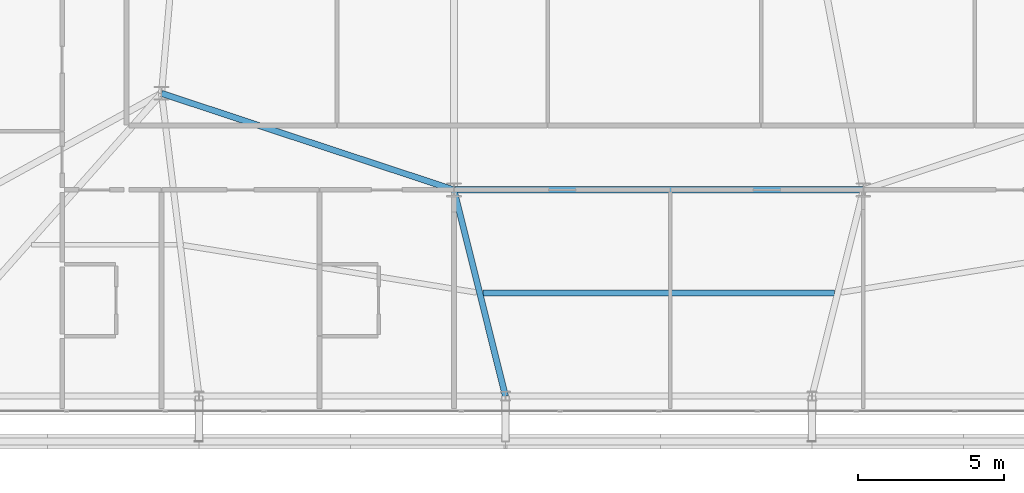
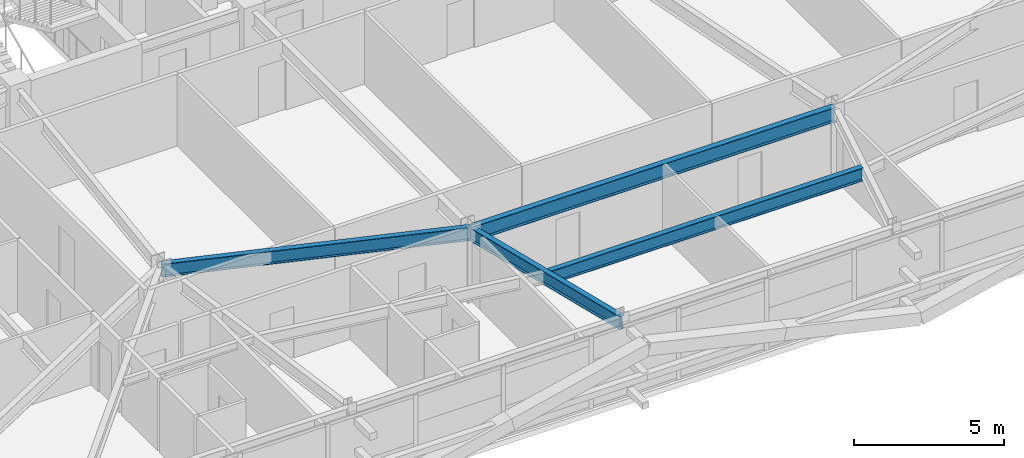
# One storey, part 13 of 58: 4 beams.
"""IFC4 building model written with IfcOpenShell, lengths in metres."""

from ifc_helpers import new_model, si_unit, direction, frame, origin, origin_2d, place, context, subcontext, project, spatial, i_section, extrude, source, transform, mapped, material, material_profile, profile_set, type_object, element, save


model = new_model("IFC4")

# Units and contexts
model_context = context("Model", 3, precision=1e-05, world=origin(), true_north=direction((0.0, 1.0)))
body_context = subcontext(model_context, "Body", "Model", "MODEL_VIEW")
ifc_project = project(units=[si_unit("LENGTHUNIT", "METRE"), si_unit("AREAUNIT", "SQUARE_METRE"), si_unit("VOLUMEUNIT", "CUBIC_METRE"), si_unit("PLANEANGLEUNIT", "RADIAN"), si_unit("MASSUNIT", "GRAM", prefix="KILO")], contexts=[model_context])

# Site, building, storey
site_placement = place(None, origin())
site = spatial("IfcSite", under=ifc_project, at=site_placement, CompositionType="ELEMENT")
building_placement = place(site_placement, origin())
building = spatial("IfcBuilding", under=site, at=building_placement, Name="Taldren Reach Tower", CompositionType="ELEMENT")
storey_placement = place(building_placement, frame((0.0, 0.0, 32.550048828125)))
storey = spatial("IfcBuildingStorey", under=building, at=storey_placement, Name="L09", CompositionType="ELEMENT", Elevation=32.550048828125)

# Beams
ifc_material = material(Name="Steel Gr 350 (350PLUS)", Category="steel")
ifc_material_profile_1 = material_profile(ifc_material, i_section(OverallWidth=0.208984375, OverallDepth=0.532958984375, WebThickness=0.01025390625, FlangeThickness=0.015625, at=origin_2d()), Name="530UB92.4")
ifc_profile_set_1 = profile_set([ifc_material_profile_1], Name="Steel Gr 350 (350PLUS)")
beam_type_1 = type_object("IfcBeamType", Name="BM-UB530A", PredefinedType="BEAM", material=ifc_profile_set_1)
shared_shape_1 = source(origin(), body_context, "Body", "SweptSolid", [
    extrude(i_section(OverallWidth=0.208984375, OverallDepth=0.532958984375, WebThickness=0.01025390625, FlangeThickness=0.015625, at=origin_2d()), origin(), (0.0, 0.0, 1.0), 10.530517578125),
])
beam_1_placement = place(storey_placement, frame((18.0, 12.5, 2.663330078125), z_axis=(0.949627269203, -0.313381635689, 0.0), x_axis=(0.313381635689, 0.949627269203, 0.0)))
element("IfcBeam", 1, at=beam_1_placement, inside=storey, type_object=beam_type_1, Name="Core-spine girder L09-SP10", PredefinedType="BEAM", context=body_context, shape_type="MappedRepresentation", body=[
    mapped(shared_shape_1, transform((0.0, 0.0, 0.0), scale=1.0)),
])
ifc_material_profile_2 = material_profile(ifc_material, i_section(OverallWidth=0.22802734375, OverallDepth=0.60205078125, WebThickness=0.010498046875, FlangeThickness=0.014892578125, at=origin_2d()), Name="610UB101")
ifc_profile_set_2 = profile_set([ifc_material_profile_2], Name="Steel Gr 350 (350PLUS)")
beam_type_2 = type_object("IfcBeamType", Name="BM-UB610B", PredefinedType="BEAM", material=ifc_profile_set_2)
shared_shape_2 = source(origin(), body_context, "Body", "SweptSolid", [
    extrude(i_section(OverallWidth=0.22802734375, OverallDepth=0.60205078125, WebThickness=0.010498046875, FlangeThickness=0.014892578125, at=origin_2d()), origin(), (0.0, 0.0, 1.0), 14.0),
])
beam_2_placement = place(storey_placement, frame((28.0, 9.199951171875, 2.62890625), z_axis=(1.0, 0.0, 0.0), x_axis=(0.0, 1.0, 0.0)))
element("IfcBeam", 2, at=beam_2_placement, inside=storey, type_object=beam_type_2, Name="Core-spine girder L09-SP11", PredefinedType="BEAM", context=body_context, shape_type="MappedRepresentation", body=[
    mapped(shared_shape_2, transform((0.0, 0.0, 0.0), scale=1.0)),
])
shared_shape_3 = source(origin(), body_context, "Body", "SweptSolid", [
    extrude(i_section(OverallWidth=0.208984375, OverallDepth=0.532958984375, WebThickness=0.01025390625, FlangeThickness=0.015625, at=origin_2d()), origin(), (0.0, 0.0, 1.0), 7.266357421875),
])
beam_3_placement = place(storey_placement, frame((28.0, 9.199951171875, 2.663330078125), z_axis=(0.24221148493, -0.970223477642, 0.0), x_axis=(0.970223477642, 0.24221148493, 0.0)))
element("IfcBeam", 3, at=beam_3_placement, inside=storey, type_object=beam_type_1, Name="Primary floor girder B1-S3 L09", PredefinedType="BEAM", context=body_context, shape_type="MappedRepresentation", body=[
    mapped(shared_shape_3, transform((0.0, 0.0, 0.0), scale=1.0)),
])
shared_shape_4 = source(origin(), body_context, "Body", "SweptSolid", [
    extrude(i_section(OverallWidth=0.208984375, OverallDepth=0.532958984375, WebThickness=0.01025390625, FlangeThickness=0.015625, at=origin_2d()), origin(), (0.0, 0.0, 1.0), 12.0244140625),
])
beam_4_placement = place(storey_placement, frame((28.98779296875, 5.675048828125, 2.663330078125), z_axis=(1.0, 0.0, 0.0), x_axis=(0.0, 1.0, 0.0)))
element("IfcBeam", 4, at=beam_4_placement, inside=storey, type_object=beam_type_1, Name="Secondary floor beam B1 J3 L09", PredefinedType="BEAM", context=body_context, shape_type="MappedRepresentation", body=[
    mapped(shared_shape_4, transform((0.0, 0.0, 0.0), scale=1.0)),
])

save(model, "model.ifc")
